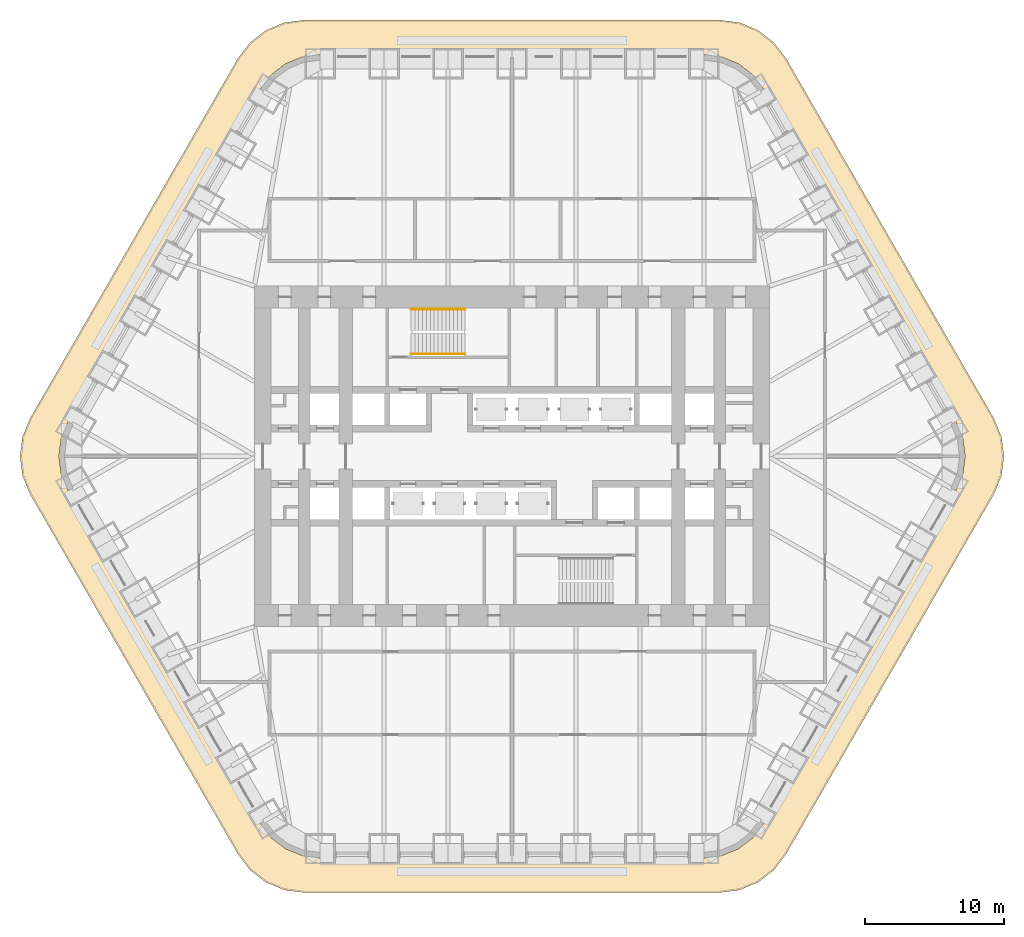
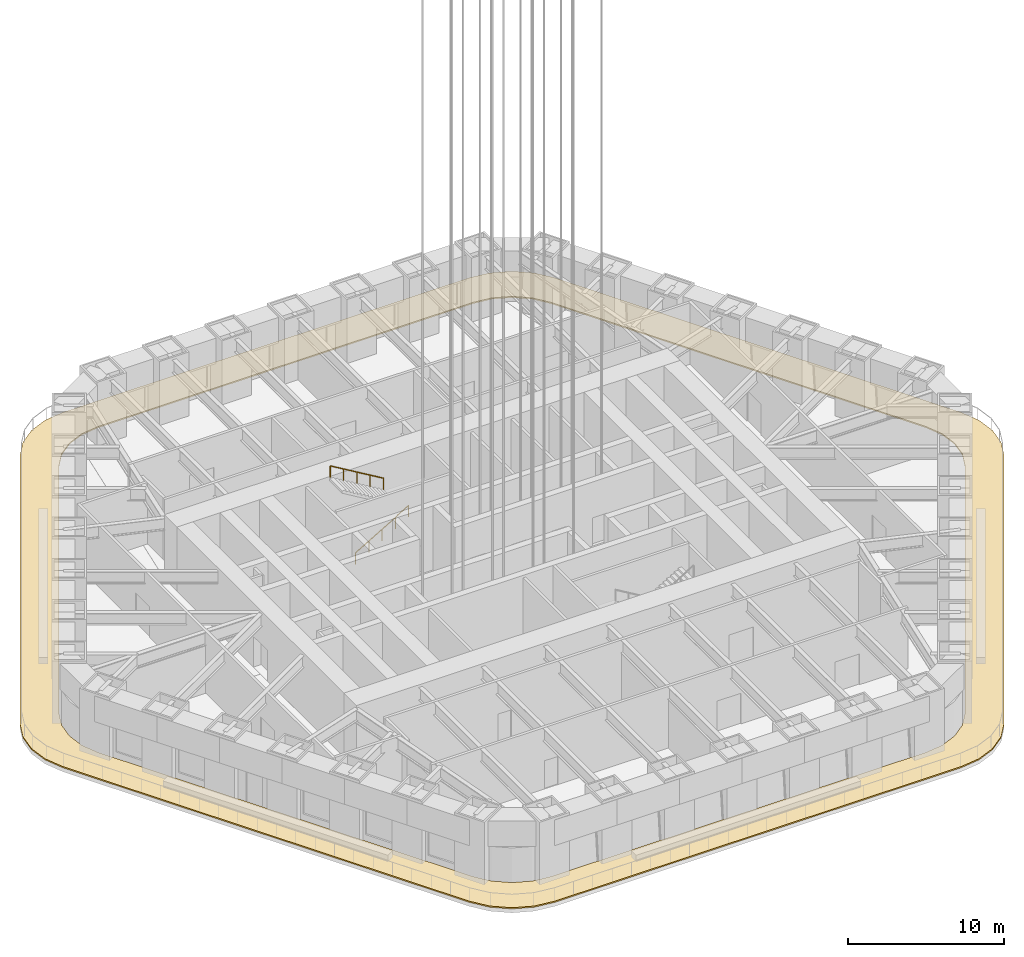
# One storey, part 13 of 15: 2 railings, 1 covering.
"""IFC4 building model written with IfcOpenShell, lengths in metres."""

from ifc_helpers import new_model, si_unit, direction, frame, origin, origin_2d, place, context, subcontext, project, spatial, polyline, circle, outline, extrude, material, layer, layer_set, type_object, element, save


model = new_model("IFC4")

# Units and contexts
model_context = context("Model", 3, precision=1e-05, world=origin(), true_north=direction((0.0, 1.0)))
body_context = subcontext(model_context, "Body", "Model", "MODEL_VIEW")
ifc_project = project(units=[si_unit("LENGTHUNIT", "METRE"), si_unit("AREAUNIT", "SQUARE_METRE"), si_unit("VOLUMEUNIT", "CUBIC_METRE"), si_unit("PLANEANGLEUNIT", "RADIAN"), si_unit("MASSUNIT", "GRAM", prefix="KILO")], contexts=[model_context])

# Site, building, storey
site_placement = place(None, origin())
site = spatial("IfcSite", under=ifc_project, at=site_placement, CompositionType="ELEMENT")
building_placement = place(site_placement, origin())
building = spatial("IfcBuilding", under=site, at=building_placement, Name="Tarfa Lantern Tower", CompositionType="ELEMENT")
storey_placement = place(building_placement, frame((0.0, 0.0, 210.5)))
storey = spatial("IfcBuildingStorey", under=building, at=storey_placement, Name="L47", CompositionType="ELEMENT", Elevation=210.5)

# Railings
ifc_material_1 = material(Name="Stainless steel", Category="steel")
railing_type = type_object("IfcRailingType", Name="HR1 HANDRAIL 900", PredefinedType="HANDRAIL", material=ifc_material_1)
railing_1_placement = place(storey_placement, frame((-7.300048828125, 7.3798828125, 0.166748046875)))
element("IfcRailing", 1, at=railing_1_placement, inside=storey, type_object=railing_type, Name="Handrail 1", PredefinedType="HANDRAIL", context=body_context, shape_type="SweptSolid", body=[
    extrude(circle(Radius=0.02392578125, at=origin_2d()), frame((0.0, 0.0, 0.8759765625), z_axis=(0.859310244771, 0.0, 0.511454693235), x_axis=(0.0, 1.0, 0.0)), (0.0, 0.0, 1.0), 4.56201171875),
    extrude(circle(Radius=0.02099609375, at=origin_2d()), frame((0.0, 0.0, 0.0), z_axis=(0.0, 0.0, 1.0), x_axis=(0.0, 1.0, 0.0)), (0.0, 0.0, 1.0), 0.851806640625),
    extrude(circle(Radius=0.02099609375, at=origin_2d()), frame((0.97998046875, 0.0, 0.583251953125), z_axis=(0.0, 0.0, 1.0), x_axis=(0.0, 1.0, 0.0)), (0.0, 0.0, 1.0), 0.851806640625),
    extrude(circle(Radius=0.02099609375, at=origin_2d()), frame((1.9599609375, 0.0, 1.16650390625), z_axis=(0.0, 0.0, 1.0), x_axis=(0.0, 1.0, 0.0)), (0.0, 0.0, 1.0), 0.851806640625),
    extrude(circle(Radius=0.02099609375, at=origin_2d()), frame((2.940185546875, 0.0, 1.75), z_axis=(0.0, 0.0, 1.0), x_axis=(0.0, 1.0, 0.0)), (0.0, 0.0, 1.0), 0.851806640625),
    extrude(circle(Radius=0.02099609375, at=origin_2d()), frame((3.920166015625, 0.0, 2.333251953125), z_axis=(0.0, 0.0, 1.0), x_axis=(0.0, 1.0, 0.0)), (0.0, 0.0, 1.0), 0.851806640625),
])
railing_2_placement = place(storey_placement, frame((-3.3798828125, 10.6201171875, 2.666748046875)))
element("IfcRailing", 2, at=railing_2_placement, inside=storey, type_object=railing_type, Name="Handrail 2", PredefinedType="HANDRAIL", context=body_context, shape_type="SweptSolid", body=[
    extrude(circle(Radius=0.02392578125, at=origin_2d()), frame((0.0, 0.0, 0.8759765625), z_axis=(-0.859310244771, 0.0, 0.511454693235), x_axis=(0.0, -1.0, 0.0)), (0.0, 0.0, 1.0), 4.56201171875),
    extrude(circle(Radius=0.02099609375, at=origin_2d()), frame((0.0, 0.0, 0.0), z_axis=(0.0, 0.0, 1.0), x_axis=(0.0, -1.0, 0.0)), (0.0, 0.0, 1.0), 0.851806640625),
    extrude(circle(Radius=0.02099609375, at=origin_2d()), frame((-0.97998046875, 0.0, 0.583251953125), z_axis=(0.0, 0.0, 1.0), x_axis=(0.0, -1.0, 0.0)), (0.0, 0.0, 1.0), 0.851806640625),
    extrude(circle(Radius=0.02099609375, at=origin_2d()), frame((-1.9599609375, 0.0, 1.16650390625), z_axis=(0.0, 0.0, 1.0), x_axis=(0.0, -1.0, 0.0)), (0.0, 0.0, 1.0), 0.851806640625),
    extrude(circle(Radius=0.02099609375, at=origin_2d()), frame((-2.940185546875, 0.0, 1.75), z_axis=(0.0, 0.0, 1.0), x_axis=(0.0, -1.0, 0.0)), (0.0, 0.0, 1.0), 0.851806640625),
    extrude(circle(Radius=0.02099609375, at=origin_2d()), frame((-3.920166015625, 0.0, 2.333251953125), z_axis=(0.0, 0.0, 1.0), x_axis=(0.0, -1.0, 0.0)), (0.0, 0.0, 1.0), 0.851806640625),
])

# Covering
ifc_material_2 = material(Name="Bituminous membrane, insulation and concrete pavers", Category="concrete")
ifc_layer = layer(ifc_material_2, 0.10009765625)
ifc_layer_set = layer_set([ifc_layer], Name="RF1 ROOF MEMBRANE AND PAVERS 100")
covering_type = type_object("IfcCoveringType", Name="RF1 ROOF MEMBRANE AND PAVERS 100", PredefinedType="ROOFING", material=ifc_layer_set)
covering_placement = place(storey_placement, origin())
element("IfcCovering", 3, at=covering_placement, inside=storey, type_object=covering_type, Name="Roofing Sky garden terrace L47", PredefinedType="ROOFING", context=body_context, shape_type="SweptSolid", body=[
    extrude(outline(polyline([(34.785400390625, 2.75), (19.774169921875, 28.75), (18.900146484375, 29.88916015625), (17.760986328125, 30.76318359375), (16.4345703125, 31.3125), (15.010986328125, 31.5), (-15.010986328125, 31.5), (-16.4345703125, 31.3125), (-17.760986328125, 30.76318359375), (-18.900146484375, 29.88916015625), (-19.774169921875, 28.75), (-34.785400390625, 2.75), (-35.334716796875, 1.423583984375), (-35.522216796875, 0.0), (-35.334716796875, -1.423583984375), (-34.785400390625, -2.75), (-19.774169921875, -28.75), (-18.900146484375, -29.88916015625), (-17.760986328125, -30.76318359375), (-16.4345703125, -31.3125), (-15.010986328125, -31.5), (15.010986328125, -31.5), (16.4345703125, -31.3125), (17.760986328125, -30.76318359375), (18.900146484375, -29.88916015625), (19.774169921875, -28.75), (34.785400390625, -2.75), (35.334716796875, -1.423583984375), (35.522216796875, 0.0), (35.334716796875, 1.423583984375), (34.785400390625, 2.75)]), holes=[polyline([(32.04296875, 2.5), (18.1865234375, 26.5), (17.391845703125, 27.53564453125), (16.3564453125, 28.330078125), (15.150390625, 28.82958984375), (13.8564453125, 29.0), (-13.8564453125, 29.0), (-15.150390625, 28.82958984375), (-16.3564453125, 28.330078125), (-17.391845703125, 27.53564453125), (-18.1865234375, 26.5), (-32.04296875, 2.5), (-32.54248046875, 1.294189453125), (-32.712890625, 0.0), (-32.54248046875, -1.294189453125), (-32.04296875, -2.5), (-18.1865234375, -26.5), (-17.391845703125, -27.53564453125), (-16.3564453125, -28.330078125), (-15.150390625, -28.82958984375), (-13.8564453125, -29.0), (13.8564453125, -29.0), (15.150390625, -28.82958984375), (16.3564453125, -28.330078125), (17.391845703125, -27.53564453125), (18.1865234375, -26.5), (32.04296875, -2.5), (32.54248046875, -1.294189453125), (32.712890625, 0.0), (32.54248046875, 1.294189453125), (32.04296875, 2.5)])]), origin(), (0.0, 0.0, 1.0), 0.10009765625),
])

save(model, "model.ifc")
